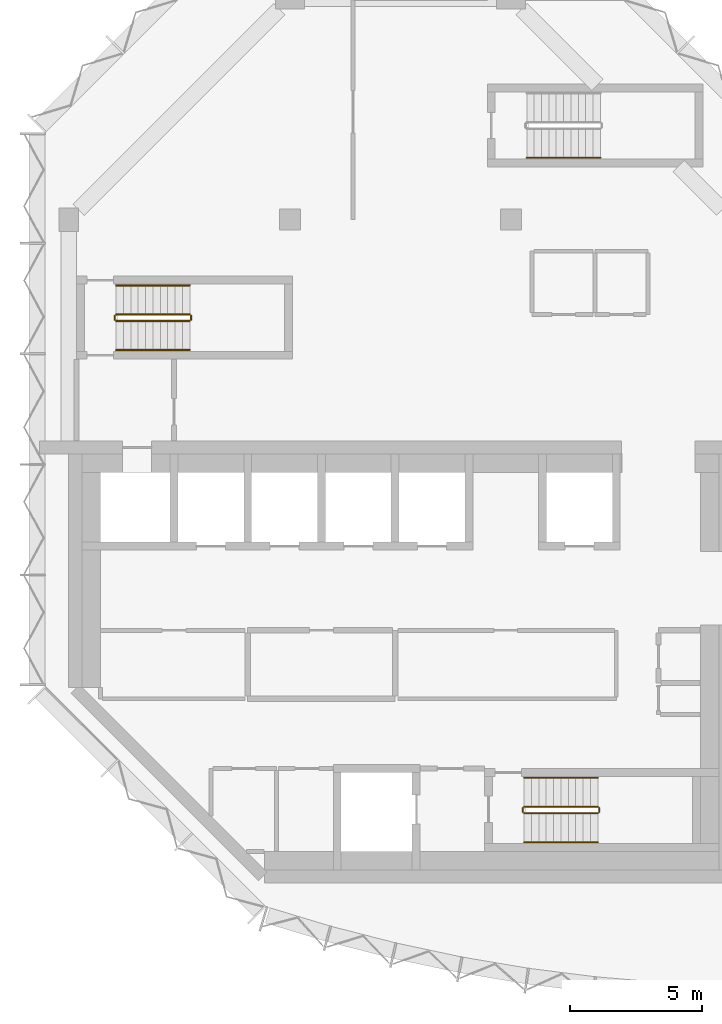
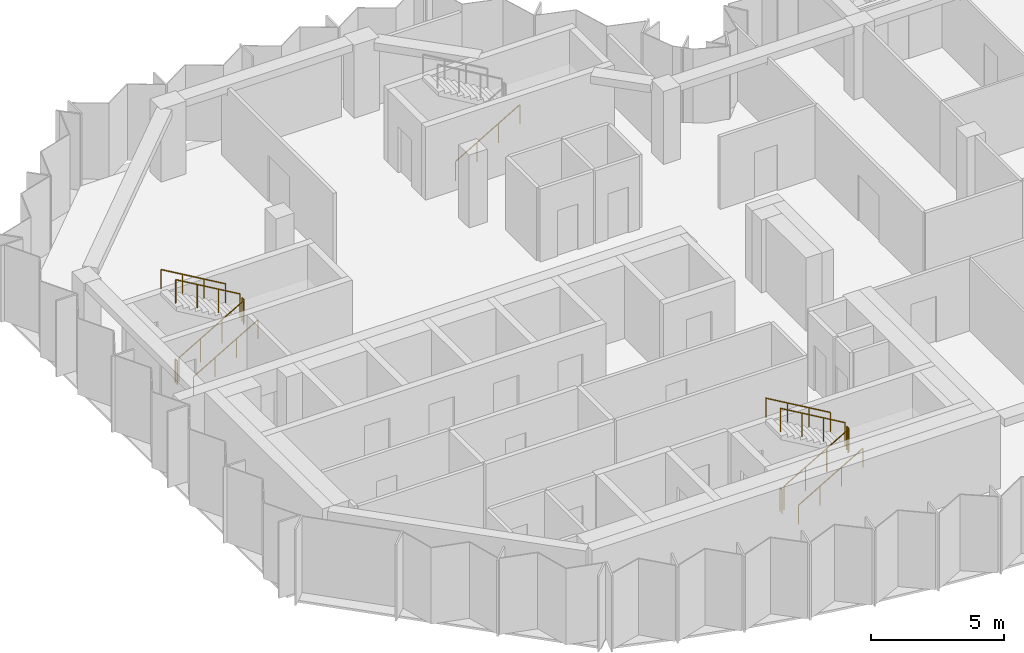
# One storey, part 8 of 9: 13 railings.
"""IFC4 building model written with IfcOpenShell, lengths in metres."""

from ifc_helpers import new_model, si_unit, direction, frame, origin, origin_2d, place, context, subcontext, project, spatial, circle, extrude, material, type_object, element, save


model = new_model("IFC4")

# Units and contexts
model_context = context("Model", 3, precision=1e-05, world=origin(), true_north=direction((0.0, 1.0)))
body_context = subcontext(model_context, "Body", "Model", "MODEL_VIEW")
ifc_project = project(units=[si_unit("LENGTHUNIT", "METRE"), si_unit("AREAUNIT", "SQUARE_METRE"), si_unit("VOLUMEUNIT", "CUBIC_METRE"), si_unit("PLANEANGLEUNIT", "RADIAN"), si_unit("MASSUNIT", "GRAM", prefix="KILO")], contexts=[model_context])

# Site, building, storey
site_placement = place(None, origin())
site = spatial("IfcSite", under=ifc_project, at=site_placement, CompositionType="ELEMENT")
building_placement = place(site_placement, origin())
building = spatial("IfcBuilding", under=site, at=building_placement, Name="Brevane Broadcast Tower", CompositionType="ELEMENT")
storey_placement = place(building_placement, frame((0.0, 0.0, 244.5)))
storey = spatial("IfcBuildingStorey", under=building, at=storey_placement, Name="L62", CompositionType="ELEMENT", Elevation=244.5)

# Railings
ifc_material = material(Name="Steel S355", Category="steel")
railing_type_1 = type_object("IfcRailingType", Name="Exit stair guard", PredefinedType="GUARDRAIL", material=ifc_material)
railing_1_placement = place(storey_placement, frame((1.800048828125, 21.35009765625, 0.16357421875)))
element("IfcRailing", 1, at=railing_1_placement, inside=storey, type_object=railing_type_1, Name="L62 ST-1 stair guard 1", PredefinedType="GUARDRAIL", context=body_context, shape_type="SweptSolid", body=[
    extrude(circle(Radius=0.02392578125, at=origin_2d()), frame((0.0, 0.0, 1.076171875), z_axis=(0.863360870873, 0.0, 0.504586966384), x_axis=(0.0, 1.0, 0.0)), (0.0, 0.0, 1.0), 3.2431640625),
    extrude(circle(Radius=0.02099609375, at=origin_2d()), origin(), (0.0, 0.0, 1.0), 1.052001953125),
    extrude(circle(Radius=0.02099609375, at=origin_2d()), frame((0.933349609375, 0.0, 0.54541015625)), (0.0, 0.0, 1.0), 1.052001953125),
    extrude(circle(Radius=0.02099609375, at=origin_2d()), frame((1.86669921875, 0.0, 1.091064453125)), (0.0, 0.0, 1.0), 1.052001953125),
    extrude(circle(Radius=0.02099609375, at=origin_2d()), frame((2.800048828125, 0.0, 1.636474609375)), (0.0, 0.0, 1.0), 1.052001953125),
])
railing_2_placement = place(storey_placement, frame((4.64990234375, 21.39990234375, 1.800048828125)))
element("IfcRailing", 2, at=railing_2_placement, inside=storey, type_object=railing_type_1, Name="L62 ST-1 stair guard 2", PredefinedType="GUARDRAIL", context=body_context, shape_type="SweptSolid", body=[
    extrude(circle(Radius=0.02392578125, at=origin_2d()), frame((0.0, 0.0, 1.076171875), z_axis=(0.0, 1.0, 0.0), x_axis=(-1.0, 0.0, 0.0)), (0.0, 0.0, 1.0), 0.150146484375),
    extrude(circle(Radius=0.02099609375, at=origin_2d()), origin(), (0.0, 0.0, 1.0), 1.052001953125),
    extrude(circle(Radius=0.02099609375, at=origin_2d()), frame((0.0, 0.150146484375, 0.0)), (0.0, 0.0, 1.0), 1.052001953125),
])
railing_3_placement = place(storey_placement, frame((4.60009765625, 21.60009765625, 1.963623046875)))
element("IfcRailing", 3, at=railing_3_placement, inside=storey, type_object=railing_type_1, Name="L62 ST-1 stair guard 3", PredefinedType="GUARDRAIL", context=body_context, shape_type="SweptSolid", body=[
    extrude(circle(Radius=0.02392578125, at=origin_2d()), frame((0.0, 0.0, 1.076171875), z_axis=(-0.863360870873, 0.0, 0.504586966384), x_axis=(0.0, -1.0, 0.0)), (0.0, 0.0, 1.0), 3.2431640625),
    extrude(circle(Radius=0.02099609375, at=origin_2d()), origin(), (0.0, 0.0, 1.0), 1.052001953125),
    extrude(circle(Radius=0.02099609375, at=origin_2d()), frame((-0.933349609375, 0.0, 0.54541015625)), (0.0, 0.0, 1.0), 1.052001953125),
    extrude(circle(Radius=0.02099609375, at=origin_2d()), frame((-1.86669921875, 0.0, 1.091064453125)), (0.0, 0.0, 1.0), 1.052001953125),
    extrude(circle(Radius=0.02099609375, at=origin_2d()), frame((-2.800048828125, 0.0, 1.636474609375)), (0.0, 0.0, 1.0), 1.052001953125),
])
railing_4_placement = place(storey_placement, frame((1.75, 21.39990234375, 0.0)))
element("IfcRailing", 4, at=railing_4_placement, inside=storey, type_object=railing_type_1, Name="L62 ST-1 stair guard 4", PredefinedType="GUARDRAIL", context=body_context, shape_type="SweptSolid", body=[
    extrude(circle(Radius=0.02392578125, at=origin_2d()), frame((0.0, 0.0, 1.076171875), z_axis=(0.0, 1.0, 0.0), x_axis=(-1.0, 0.0, 0.0)), (0.0, 0.0, 1.0), 0.150146484375),
    extrude(circle(Radius=0.02099609375, at=origin_2d()), origin(), (0.0, 0.0, 1.0), 1.052001953125),
    extrude(circle(Radius=0.02099609375, at=origin_2d()), frame((0.0, 0.150146484375, 0.0)), (0.0, 0.0, 1.0), 1.052001953125),
])
railing_5_placement = place(storey_placement, frame((17.300048828125, 2.64990234375, 0.16357421875)))
element("IfcRailing", 5, at=railing_5_placement, inside=storey, type_object=railing_type_1, Name="L62 ST-2 stair guard 1", PredefinedType="GUARDRAIL", context=body_context, shape_type="SweptSolid", body=[
    extrude(circle(Radius=0.02392578125, at=origin_2d()), frame((0.0, 0.0, 1.076171875), z_axis=(0.863360870873, 0.0, 0.504586966384), x_axis=(0.0, 1.0, 0.0)), (0.0, 0.0, 1.0), 3.2431640625),
    extrude(circle(Radius=0.02099609375, at=origin_2d()), origin(), (0.0, 0.0, 1.0), 1.052001953125),
    extrude(circle(Radius=0.02099609375, at=origin_2d()), frame((0.933349609375, 0.0, 0.54541015625)), (0.0, 0.0, 1.0), 1.052001953125),
    extrude(circle(Radius=0.02099609375, at=origin_2d()), frame((1.86669921875, 0.0, 1.091064453125)), (0.0, 0.0, 1.0), 1.052001953125),
    extrude(circle(Radius=0.02099609375, at=origin_2d()), frame((2.800048828125, 0.0, 1.636474609375)), (0.0, 0.0, 1.0), 1.052001953125),
])
railing_6_placement = place(storey_placement, frame((20.14990234375, 2.699951171875, 1.800048828125)))
element("IfcRailing", 6, at=railing_6_placement, inside=storey, type_object=railing_type_1, Name="L62 ST-2 stair guard 2", PredefinedType="GUARDRAIL", context=body_context, shape_type="SweptSolid", body=[
    extrude(circle(Radius=0.02392578125, at=origin_2d()), frame((0.0, 0.0, 1.076171875), z_axis=(0.0, 1.0, 0.0), x_axis=(-1.0, 0.0, 0.0)), (0.0, 0.0, 1.0), 0.150146484375),
    extrude(circle(Radius=0.02099609375, at=origin_2d()), origin(), (0.0, 0.0, 1.0), 1.052001953125),
    extrude(circle(Radius=0.02099609375, at=origin_2d()), frame((0.0, 0.150146484375, 0.0)), (0.0, 0.0, 1.0), 1.052001953125),
])
railing_7_placement = place(storey_placement, frame((20.10009765625, 2.89990234375, 1.963623046875)))
element("IfcRailing", 7, at=railing_7_placement, inside=storey, type_object=railing_type_1, Name="L62 ST-2 stair guard 3", PredefinedType="GUARDRAIL", context=body_context, shape_type="SweptSolid", body=[
    extrude(circle(Radius=0.02392578125, at=origin_2d()), frame((0.0, 0.0, 1.076171875), z_axis=(-0.863360870873, 0.0, 0.504586966384), x_axis=(0.0, -1.0, 0.0)), (0.0, 0.0, 1.0), 3.2431640625),
    extrude(circle(Radius=0.02099609375, at=origin_2d()), origin(), (0.0, 0.0, 1.0), 1.052001953125),
    extrude(circle(Radius=0.02099609375, at=origin_2d()), frame((-0.933349609375, 0.0, 0.54541015625)), (0.0, 0.0, 1.0), 1.052001953125),
    extrude(circle(Radius=0.02099609375, at=origin_2d()), frame((-1.86669921875, 0.0, 1.091064453125)), (0.0, 0.0, 1.0), 1.052001953125),
    extrude(circle(Radius=0.02099609375, at=origin_2d()), frame((-2.800048828125, 0.0, 1.636474609375)), (0.0, 0.0, 1.0), 1.052001953125),
])
railing_8_placement = place(storey_placement, frame((17.25, 2.699951171875, 0.0)))
element("IfcRailing", 8, at=railing_8_placement, inside=storey, type_object=railing_type_1, Name="L62 ST-2 stair guard 4", PredefinedType="GUARDRAIL", context=body_context, shape_type="SweptSolid", body=[
    extrude(circle(Radius=0.02392578125, at=origin_2d()), frame((0.0, 0.0, 1.076171875), z_axis=(0.0, 1.0, 0.0), x_axis=(-1.0, 0.0, 0.0)), (0.0, 0.0, 1.0), 0.150146484375),
    extrude(circle(Radius=0.02099609375, at=origin_2d()), origin(), (0.0, 0.0, 1.0), 1.052001953125),
    extrude(circle(Radius=0.02099609375, at=origin_2d()), frame((0.0, 0.150146484375, 0.0)), (0.0, 0.0, 1.0), 1.052001953125),
])
railing_type_2 = type_object("IfcRailingType", Name="Exit stair handrail", PredefinedType="HANDRAIL", material=ifc_material)
railing_9_placement = place(storey_placement, frame((1.800048828125, 20.25, 0.16357421875)))
element("IfcRailing", 9, at=railing_9_placement, inside=storey, type_object=railing_type_2, Name="L62 ST-1 stair handrail 1", PredefinedType="HANDRAIL", context=body_context, shape_type="SweptSolid", body=[
    extrude(circle(Radius=0.02392578125, at=origin_2d()), frame((0.0, 0.0, 0.8759765625), z_axis=(0.863360870873, 0.0, 0.504586966384), x_axis=(0.0, 1.0, 0.0)), (0.0, 0.0, 1.0), 3.2431640625),
    extrude(circle(Radius=0.02099609375, at=origin_2d()), origin(), (0.0, 0.0, 1.0), 0.851806640625),
    extrude(circle(Radius=0.02099609375, at=origin_2d()), frame((0.933349609375, 0.0, 0.54541015625)), (0.0, 0.0, 1.0), 0.851806640625),
    extrude(circle(Radius=0.02099609375, at=origin_2d()), frame((1.86669921875, 0.0, 1.091064453125)), (0.0, 0.0, 1.0), 0.851806640625),
    extrude(circle(Radius=0.02099609375, at=origin_2d()), frame((2.800048828125, 0.0, 1.636474609375)), (0.0, 0.0, 1.0), 0.851806640625),
])
railing_10_placement = place(storey_placement, frame((4.60009765625, 22.699951171875, 1.963623046875)))
element("IfcRailing", 10, at=railing_10_placement, inside=storey, type_object=railing_type_2, Name="L62 ST-1 stair handrail 2", PredefinedType="HANDRAIL", context=body_context, shape_type="SweptSolid", body=[
    extrude(circle(Radius=0.02392578125, at=origin_2d()), frame((0.0, 0.0, 0.8759765625), z_axis=(-0.863360870873, 0.0, 0.504586966384), x_axis=(0.0, -1.0, 0.0)), (0.0, 0.0, 1.0), 3.2431640625),
    extrude(circle(Radius=0.02099609375, at=origin_2d()), origin(), (0.0, 0.0, 1.0), 0.851806640625),
    extrude(circle(Radius=0.02099609375, at=origin_2d()), frame((-0.933349609375, 0.0, 0.54541015625)), (0.0, 0.0, 1.0), 0.851806640625),
    extrude(circle(Radius=0.02099609375, at=origin_2d()), frame((-1.86669921875, 0.0, 1.091064453125)), (0.0, 0.0, 1.0), 0.851806640625),
    extrude(circle(Radius=0.02099609375, at=origin_2d()), frame((-2.800048828125, 0.0, 1.636474609375)), (0.0, 0.0, 1.0), 0.851806640625),
])
railing_11_placement = place(storey_placement, frame((17.300048828125, 1.550048828125, 0.16357421875)))
element("IfcRailing", 11, at=railing_11_placement, inside=storey, type_object=railing_type_2, Name="L62 ST-2 stair handrail 1", PredefinedType="HANDRAIL", context=body_context, shape_type="SweptSolid", body=[
    extrude(circle(Radius=0.02392578125, at=origin_2d()), frame((0.0, 0.0, 0.8759765625), z_axis=(0.863360870873, 0.0, 0.504586966384), x_axis=(0.0, 1.0, 0.0)), (0.0, 0.0, 1.0), 3.2431640625),
    extrude(circle(Radius=0.02099609375, at=origin_2d()), origin(), (0.0, 0.0, 1.0), 0.851806640625),
    extrude(circle(Radius=0.02099609375, at=origin_2d()), frame((0.933349609375, 0.0, 0.54541015625)), (0.0, 0.0, 1.0), 0.851806640625),
    extrude(circle(Radius=0.02099609375, at=origin_2d()), frame((1.86669921875, 0.0, 1.091064453125)), (0.0, 0.0, 1.0), 0.851806640625),
    extrude(circle(Radius=0.02099609375, at=origin_2d()), frame((2.800048828125, 0.0, 1.636474609375)), (0.0, 0.0, 1.0), 0.851806640625),
])
railing_12_placement = place(storey_placement, frame((20.10009765625, 4.0, 1.963623046875)))
element("IfcRailing", 12, at=railing_12_placement, inside=storey, type_object=railing_type_2, Name="L62 ST-2 stair handrail 2", PredefinedType="HANDRAIL", context=body_context, shape_type="SweptSolid", body=[
    extrude(circle(Radius=0.02392578125, at=origin_2d()), frame((0.0, 0.0, 0.8759765625), z_axis=(-0.863360870873, 0.0, 0.504586966384), x_axis=(0.0, -1.0, 0.0)), (0.0, 0.0, 1.0), 3.2431640625),
    extrude(circle(Radius=0.02099609375, at=origin_2d()), origin(), (0.0, 0.0, 1.0), 0.851806640625),
    extrude(circle(Radius=0.02099609375, at=origin_2d()), frame((-0.933349609375, 0.0, 0.54541015625)), (0.0, 0.0, 1.0), 0.851806640625),
    extrude(circle(Radius=0.02099609375, at=origin_2d()), frame((-1.86669921875, 0.0, 1.091064453125)), (0.0, 0.0, 1.0), 0.851806640625),
    extrude(circle(Radius=0.02099609375, at=origin_2d()), frame((-2.800048828125, 0.0, 1.636474609375)), (0.0, 0.0, 1.0), 0.851806640625),
])
railing_13_placement = place(storey_placement, frame((17.39990234375, 27.550048828125, 0.16357421875)))
element("IfcRailing", 13, at=railing_13_placement, inside=storey, type_object=railing_type_2, Name="L62 ST-3 stair handrail 1", PredefinedType="HANDRAIL", context=body_context, shape_type="SweptSolid", body=[
    extrude(circle(Radius=0.02392578125, at=origin_2d()), frame((0.0, 0.0, 0.8759765625), z_axis=(0.863360870873, 0.0, 0.504586966384), x_axis=(0.0, 1.0, 0.0)), (0.0, 0.0, 1.0), 3.2431640625),
    extrude(circle(Radius=0.02099609375, at=origin_2d()), origin(), (0.0, 0.0, 1.0), 0.851806640625),
    extrude(circle(Radius=0.02099609375, at=origin_2d()), frame((0.933349609375, 0.0, 0.54541015625)), (0.0, 0.0, 1.0), 0.851806640625),
    extrude(circle(Radius=0.02099609375, at=origin_2d()), frame((1.86669921875, 0.0, 1.091064453125)), (0.0, 0.0, 1.0), 0.851806640625),
    extrude(circle(Radius=0.02099609375, at=origin_2d()), frame((2.800048828125, 0.0, 1.636474609375)), (0.0, 0.0, 1.0), 0.851806640625),
])

save(model, "model.ifc")
